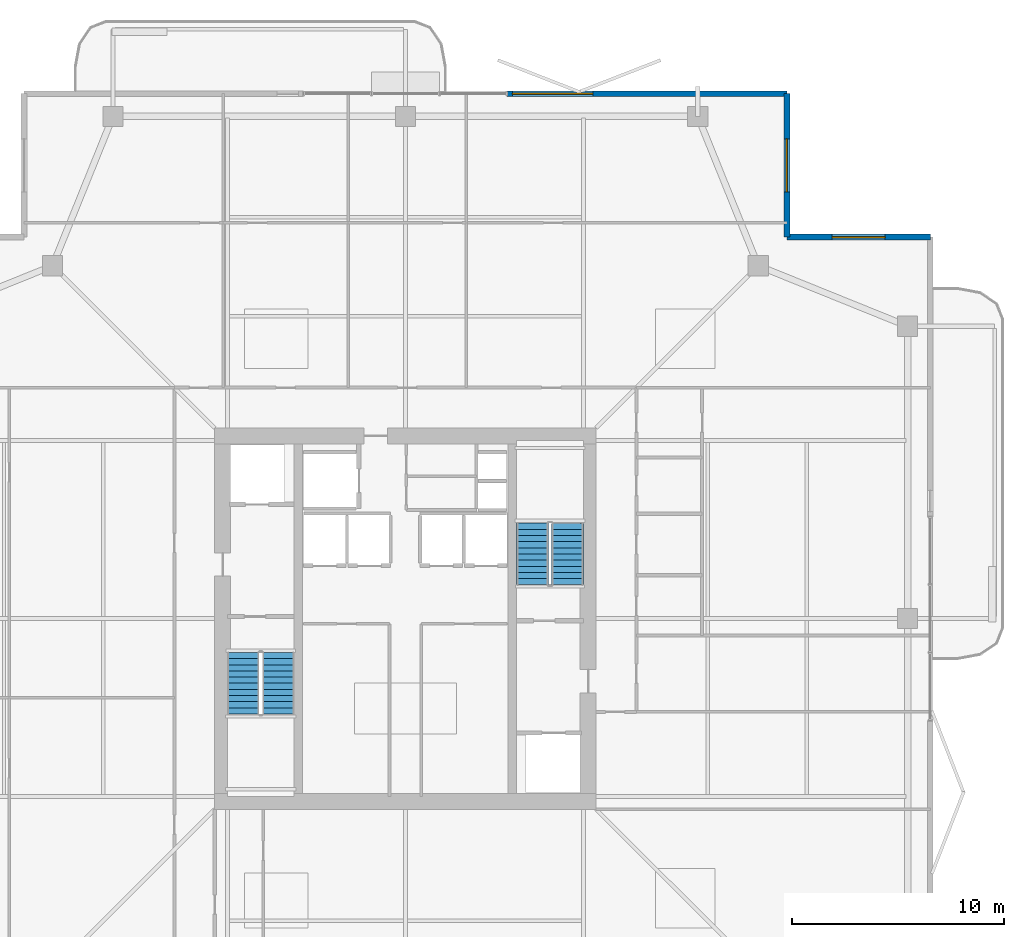
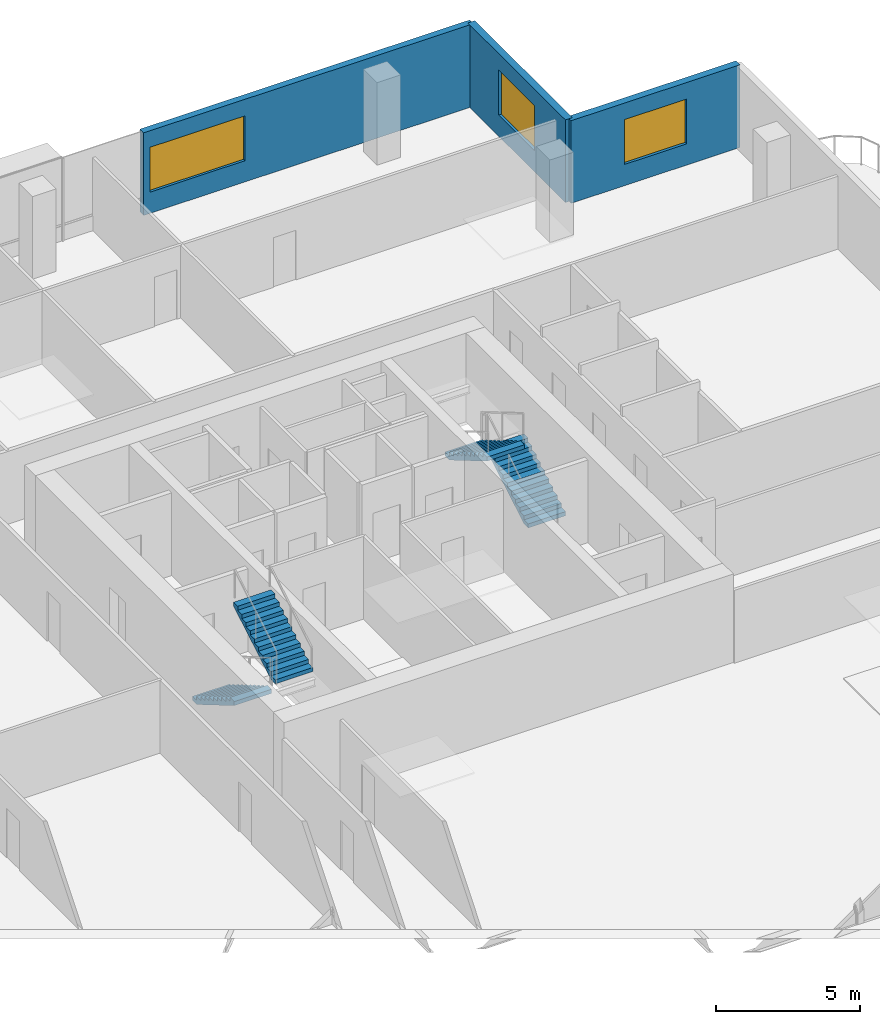
# One storey, part 21 of 25: 4 stair flights, 3 walls, 3 windows, 3 openings, 2 elements without a shape of their own.
"""IFC4 building model written with IfcOpenShell, lengths in metres."""

import ifcopenshell
import ifcopenshell.guid

model = None  # the IFC model being written
_history = None  # IfcOwnerHistory: only IFC2X3 demands one
_inside = {}  # id of a spatial element -> (the spatial element, [elements in it])
_under = {}  # id of a project, library or spatial element -> (it, [spatial elements below it])
_declared = {}  # id of a project -> (the project, [libraries it declares])
_typed = {}  # id of a type object -> (the type object, [elements of that type])
_made_of = {}  # id of a material, layer set ... -> (it, [elements and type objects made of it])


def new_model(schema):
    """Start an empty IFC model of exactly this schema.

    Asked for "IFC4X3", IfcOpenShell would pick the latest addendum, in which some entities
    have other attributes; the version numbers below select the first issue.
    IFC2X3 requires an IfcOwnerHistory on every rooted entity: one is made here for all.
    """
    global model, _history
    if schema == "IFC4X3":
        model = ifcopenshell.file(schema_version=(4, 3, 0, 0))
    else:
        model = ifcopenshell.file(schema=schema)
    _inside.clear()
    _under.clear()
    _declared.clear()
    _typed.clear()
    _made_of.clear()
    _history = None
    if model.schema == "IFC2X3":
        org = make("IfcOrganization", Name="unknown")
        user = make(
            "IfcPersonAndOrganization",
            ThePerson=make("IfcPerson", FamilyName="unknown"),
            TheOrganization=org,
        )
        app = make(
            "IfcApplication",
            ApplicationDeveloper=org,
            Version="unknown",
            ApplicationFullName="unknown",
            ApplicationIdentifier="unknown",
        )
        _history = make(
            "IfcOwnerHistory",
            OwningUser=user,
            OwningApplication=app,
            ChangeAction="ADDED",
            CreationDate=0,
        )
    return model


def make(cls, **values):
    """One entity of the class cls with the attributes given. An attribute that is None is left unset."""
    return model.create_entity(
        cls, **{name: value for name, value in values.items() if value is not None}
    )


def rooted(cls, **values):
    """An entity with a GlobalId (a new one), such as an element, a storey or a relation."""
    return make(cls, GlobalId=ifcopenshell.guid.new(), OwnerHistory=_history, **values)


def si_unit(unit_type, name, prefix=None):
    """IfcSIUnit, for example si_unit("LENGTHUNIT", "METRE", prefix="MILLI")."""
    return make("IfcSIUnit", UnitType=unit_type, Prefix=prefix, Name=name)


def assignment(units):
    """IfcUnitAssignment: the units of a project."""
    return None if units is None else make("IfcUnitAssignment", Units=units)


def point(xyz):
    """IfcCartesianPoint."""
    return None if xyz is None else make("IfcCartesianPoint", Coordinates=xyz)


def direction(xyz):
    """IfcDirection."""
    return None if xyz is None else make("IfcDirection", DirectionRatios=xyz)


def frame(location, z_axis=None, x_axis=None):
    """IfcAxis2Placement3D, a coordinate frame: its origin and axes. An axis left out is left unset."""
    return make(
        "IfcAxis2Placement3D",
        Location=point(location),
        Axis=direction(z_axis),
        RefDirection=direction(x_axis),
    )


def frame_2d(location, x_axis=None):
    """IfcAxis2Placement2D, a coordinate frame in the plane: its origin and x axis."""
    return make(
        "IfcAxis2Placement2D", Location=point(location), RefDirection=direction(x_axis)
    )


def origin():
    """The frame at (0, 0, 0) with its axes left unset."""
    return frame((0.0, 0.0, 0.0))


def place(relative_to, where):
    """IfcLocalPlacement: puts the frame where relative to a parent placement (None: the world)."""
    return make(
        "IfcLocalPlacement", PlacementRelTo=relative_to, RelativePlacement=where
    )


def context(
    kind, dimensions, precision=None, world=None, true_north=None, identifier=None
):
    """IfcGeometricRepresentationContext, for example the 3D "Model" context."""
    return make(
        "IfcGeometricRepresentationContext",
        ContextIdentifier=identifier,
        ContextType=kind,
        CoordinateSpaceDimension=dimensions,
        Precision=precision,
        WorldCoordinateSystem=world,
        TrueNorth=true_north,
    )


def subcontext(parent, identifier, kind, view, scale=None):
    """IfcGeometricRepresentationSubContext, for example "Body" below "Model"."""
    return make(
        "IfcGeometricRepresentationSubContext",
        ContextIdentifier=identifier,
        ContextType=kind,
        ParentContext=parent,
        TargetScale=scale,
        TargetView=view,
    )


def project(units=None, contexts=None):
    """IfcProject with its units and contexts."""
    return rooted(
        "IfcProject",
        Name="project",
        RepresentationContexts=contexts,
        UnitsInContext=assignment(units),
    )


def spatial(cls, under=None, at=None, **own):
    """A site, building, storey or space (cls), placed at a placement, below another one or the project."""
    s = rooted(cls, ObjectPlacement=at, **own)
    if under is not None:
        _under.setdefault(under.id(), (under, []))[1].append(s)
    return s


def polyline(points):
    """IfcPolyline through the points."""
    return make("IfcPolyline", Points=[point(p) for p in points])


def profile(cls, at=None, kind="AREA", **sizes):
    """A parametric profile (cls). Its sizes go by their IFC names, for example OverallWidth=200.0."""
    return make(cls, ProfileType=kind, Position=at, **sizes)


def rectangle(**sizes):
    """IfcRectangleProfileDef."""
    return profile("IfcRectangleProfileDef", **sizes)


def outline(outer, holes=None, kind="AREA"):
    """IfcArbitraryClosedProfileDef: a profile drawn as a closed curve; with holes, ...WithVoids."""
    if holes is None:
        return make("IfcArbitraryClosedProfileDef", ProfileType=kind, OuterCurve=outer)
    return make(
        "IfcArbitraryProfileDefWithVoids",
        ProfileType=kind,
        OuterCurve=outer,
        InnerCurves=holes,
    )


def extrude(swept, where, along, depth):
    """IfcExtrudedAreaSolid: the profile swept, set in the frame where, extruded along a direction by depth."""
    return make(
        "IfcExtrudedAreaSolid",
        SweptArea=swept,
        Position=where,
        ExtrudedDirection=direction(along),
        Depth=depth,
    )


def shape(context_of_items, identifier, shape_type, items):
    """IfcShapeRepresentation: the items that make up one representation, for example the "Body"."""
    return make(
        "IfcShapeRepresentation",
        ContextOfItems=context_of_items,
        RepresentationIdentifier=identifier,
        RepresentationType=shape_type,
        Items=items,
    )


def material(Name=None, Category=None):
    """IfcMaterial."""
    return make("IfcMaterial", Name=Name, Category=Category)


def layer(
    of_material, thickness, ventilated=None, Name=None, Category=None, Priority=None
):
    """IfcMaterialLayer: one layer of a wall or slab, of a material (None: an air gap)."""
    return make(
        "IfcMaterialLayer",
        Material=of_material,
        LayerThickness=thickness,
        IsVentilated=ventilated,
        Name=Name,
        Category=Category,
        Priority=Priority,
    )


def layer_set(layers, Name=None):
    """IfcMaterialLayerSet."""
    return make("IfcMaterialLayerSet", MaterialLayers=layers, LayerSetName=Name)


def made_of(thing, what):
    """Note that an element or type object is made of a material, layer set ...; save() writes the relation."""
    if what is not None:
        _made_of.setdefault(what.id(), (what, []))[1].append(thing)
    return thing


def type_object(cls, material=None, **own):
    """A type object (cls), such as IfcWallType, which elements share."""
    return made_of(rooted(cls, **own), material)


def element(
    cls,
    number,
    at=None,
    inside=None,
    cuts=None,
    type_object=None,
    material=None,
    context=None,
    identifier="Body",
    shape_type=None,
    held_by="IfcProductDefinitionShape",
    body=None,
    shapes=None,
    **own,
):
    """One element of the class cls, such as IfcWall. Its Tag is "e" and its number.

    at: its placement. inside: the storey or other place that contains it. cuts: it is an
    opening in that element (IfcRelVoidsElement). A single representation is given by context,
    identifier, shape_type and body (its items); several are given by shapes. held_by: the class
    of the entity that holds the representations. save() writes the other relations.
    """
    e = rooted(cls, Tag="e%d" % number, ObjectPlacement=at, **own)
    if body is not None:
        shapes = [shape(context, identifier, shape_type, body)]
    if shapes is not None:
        e.Representation = make(held_by, Representations=shapes)
    if inside is not None:
        _inside.setdefault(inside.id(), (inside, []))[1].append(e)
    if cuts is not None:
        rooted(
            "IfcRelVoidsElement", RelatingBuildingElement=cuts, RelatedOpeningElement=e
        )
    if type_object is not None:
        _typed.setdefault(type_object.id(), (type_object, []))[1].append(e)
    return made_of(e, material)


def fill(opening, filler):
    """IfcRelFillsElement: the door or window that sits in an opening."""
    return rooted(
        "IfcRelFillsElement",
        RelatingOpeningElement=opening,
        RelatedBuildingElement=filler,
    )


def aggregate(whole, parts):
    """IfcRelAggregates: a whole, such as a stair, and the parts it consists of."""
    return rooted("IfcRelAggregates", RelatingObject=whole, RelatedObjects=parts)


def save(model, path):
    """Write the relations noted so far, then the file.

    IfcRelAggregates (storeys below a building ...), IfcRelContainedInSpatialStructure (elements
    in a storey), IfcRelDefinesByType, IfcRelAssociatesMaterial and IfcRelDeclares: one each for
    every whole, place, type object, material and project.
    """
    for whole, parts in _under.values():
        aggregate(whole, parts)
    for where, things in _inside.values():
        rooted(
            "IfcRelContainedInSpatialStructure",
            RelatedElements=things,
            RelatingStructure=where,
        )
    for kind, things in _typed.values():
        rooted("IfcRelDefinesByType", RelatedObjects=things, RelatingType=kind)
    for what, things in _made_of.values():
        rooted("IfcRelAssociatesMaterial", RelatedObjects=things, RelatingMaterial=what)
    for by, libraries in _declared.values():
        rooted("IfcRelDeclares", RelatingContext=by, RelatedDefinitions=libraries)
    model.write(path)


model = new_model("IFC4")

# Units and contexts
model_context = context("Model", 3, precision=1e-05, world=origin(), true_north=direction((0.0, 1.0)))
body_context = subcontext(model_context, "Body", "Model", "MODEL_VIEW")
ifc_project = project(units=[si_unit("LENGTHUNIT", "METRE"), si_unit("AREAUNIT", "SQUARE_METRE"), si_unit("VOLUMEUNIT", "CUBIC_METRE"), si_unit("PLANEANGLEUNIT", "RADIAN"), si_unit("MASSUNIT", "GRAM", prefix="KILO")], contexts=[model_context])

# Site, building, storey
site_placement = place(None, origin())
site = spatial("IfcSite", under=ifc_project, at=site_placement, CompositionType="ELEMENT")
building_placement = place(site_placement, origin())
building = spatial("IfcBuilding", under=site, at=building_placement, Name="Belovzor Exchange Tower", CompositionType="ELEMENT")
storey_placement = place(building_placement, frame((0.0, 0.0, 269.10009765625)))
storey = spatial("IfcBuildingStorey", under=building, at=storey_placement, Name="L67", CompositionType="ELEMENT", Elevation=269.10009765625)

# Wall, opening, window
ifc_material_1 = material(Name="Precast concrete C40/50", Category="concrete")
ifc_layer_1 = layer(ifc_material_1, 0.280029296875)
ifc_layer_set_1 = layer_set([ifc_layer_1], Name="Precast concrete C40/50")
wall_type_1 = type_object("IfcWallType", Name="Precast Concrete Notched Corner Frame Wall 280", PredefinedType="SOLIDWALL", material=ifc_layer_set_1)
wall_1_placement = place(storey_placement, frame((46.800048828125, 53.570068359375, 0.0), z_axis=(0.0, 0.0, 1.0), x_axis=(0.0, -1.0, 0.0)))
wall_1 = element("IfcWall", 1, at=wall_1_placement, inside=storey, type_object=wall_type_1, Name="W-CRN280 Precast Concrete Notched Corner Frame Wall 280 L67", PredefinedType="SOLIDWALL", context=body_context, shape_type="SweptSolid", body=[
    extrude(rectangle(XDim=6.77001953125, YDim=0.280029296875, at=frame_2d((3.385009765625, 0.0))), origin(), (0.0, 0.0, 1.0), 3.5),
])
opening_1_placement = place(wall_1_placement, frame((2.135009765625, 0.0, 0.89990234375)))
opening_1 = element("IfcOpeningElement", 2, at=opening_1_placement, cuts=wall_1, Name="Opening WN-CRN250", PredefinedType="OPENING", context=body_context, shape_type="SweptSolid", body=[
    extrude(rectangle(XDim=2.5, YDim=1.89990234375, at=frame_2d((1.25, 0.949951171875))), frame((0.0, 0.14990234375, 0.0), z_axis=(0.0, -1.0, 0.0), x_axis=(1.0, 0.0, 0.0)), (0.0, 0.0, 1.0), 0.300048828125),
])
ifc_material_2 = material(Name="Thermally Broken Aluminium and Triple Glazing", Category="aluminium")
window_type_1 = type_object("IfcWindowType", Name="Streamline Moderne Corner Wrap Ribbon Window 2500x1900", PartitioningType="SINGLE_PANEL", PredefinedType="WINDOW", material=ifc_material_2)
window_1_placement = place(opening_1_placement, origin())
window_1 = element("IfcWindow", 3, at=window_1_placement, inside=storey, type_object=window_type_1, Name="WN-CRN250 Streamline Moderne Corner Wrap Ribbon Window 2500x1900", OverallHeight=1.89990234375, OverallWidth=2.5, PartitioningType="SINGLE_PANEL", PredefinedType="WINDOW", context=body_context, shape_type="SweptSolid", body=[
    extrude(rectangle(XDim=2.5, YDim=1.89990234375, at=frame_2d((1.25, 0.949951171875))), frame((0.0, 0.030029296875, 0.0), z_axis=(0.0, -1.0, 0.0), x_axis=(1.0, 0.0, 0.0)), (0.0, 0.0, 1.0), 0.06005859375),
])
fill(opening_1, window_1)

wall_2_placement = place(storey_placement, frame((46.800048828125, 46.800048828125, 0.0), z_axis=(0.0, 0.0, 1.0), x_axis=(1.0, 0.0, 0.0)))
wall_2 = element("IfcWall", 4, at=wall_2_placement, inside=storey, type_object=wall_type_1, Name="W-CRN280 Precast Concrete Notched Corner Frame Wall 280 L67", PredefinedType="SOLIDWALL", context=body_context, shape_type="SweptSolid", body=[
    extrude(rectangle(XDim=6.77001953125, YDim=0.280029296875, at=frame_2d((3.385009765625, 0.0))), origin(), (0.0, 0.0, 1.0), 3.5),
])
opening_2_placement = place(wall_2_placement, frame((2.135009765625, 0.0, 0.89990234375)))
opening_2 = element("IfcOpeningElement", 5, at=opening_2_placement, cuts=wall_2, Name="Opening WN-CRN250", PredefinedType="OPENING", context=body_context, shape_type="SweptSolid", body=[
    extrude(rectangle(XDim=2.5, YDim=1.89990234375, at=frame_2d((1.25, 0.949951171875))), frame((0.0, 0.14990234375, 0.0), z_axis=(0.0, -1.0, 0.0), x_axis=(1.0, 0.0, 0.0)), (0.0, 0.0, 1.0), 0.300048828125),
])
window_2_placement = place(opening_2_placement, origin())
window_2 = element("IfcWindow", 6, at=window_2_placement, inside=storey, type_object=window_type_1, Name="WN-CRN250 Streamline Moderne Corner Wrap Ribbon Window 2500x1900", OverallHeight=1.89990234375, OverallWidth=2.5, PartitioningType="SINGLE_PANEL", PredefinedType="WINDOW", context=body_context, shape_type="SweptSolid", body=[
    extrude(rectangle(XDim=2.5, YDim=1.89990234375, at=frame_2d((1.25, 0.949951171875))), frame((0.0, 0.030029296875, 0.0), z_axis=(0.0, -1.0, 0.0), x_axis=(1.0, 0.0, 0.0)), (0.0, 0.0, 1.0), 0.06005859375),
])
fill(opening_2, window_2)

ifc_material_3 = material(Name="Precast concrete C40/50", Category="concrete")
ifc_layer_2 = layer(ifc_material_3, 0.260009765625)
ifc_layer_set_2 = layer_set([ifc_layer_2], Name="Precast concrete C40/50")
wall_type_2 = type_object("IfcWallType", Name="Precast Concrete Perimeter Loggia Frame Wall 260", PredefinedType="SOLIDWALL", material=ifc_layer_set_2)
wall_3_placement = place(storey_placement, frame((33.60009765625, 53.570068359375, 0.0), z_axis=(0.0, 0.0, 1.0), x_axis=(1.0, 0.0, 0.0)))
wall_3 = element("IfcWall", 7, at=wall_3_placement, inside=storey, type_object=wall_type_2, Name="W-EXT260 Precast Concrete Perimeter Loggia Frame Wall 260 L67", PredefinedType="SOLIDWALL", context=body_context, shape_type="SweptSolid", body=[
    extrude(rectangle(XDim=13.199951171875, YDim=0.260009765625, at=frame_2d((6.60009765625, 0.0))), origin(), (0.0, 0.0, 1.0), 3.5),
])
opening_3_placement = place(wall_3_placement, frame((0.25, 0.0, 0.89990234375)))
opening_3 = element("IfcOpeningElement", 8, at=opening_3_placement, cuts=wall_3, Name="Opening WN-RIB380", PredefinedType="OPENING", context=body_context, shape_type="SweptSolid", body=[
    extrude(rectangle(XDim=3.800048828125, YDim=1.89990234375, at=frame_2d((1.89990234375, 0.949951171875))), frame((0.0, 0.139892578125, 0.0), z_axis=(0.0, -1.0, 0.0), x_axis=(1.0, 0.0, 0.0)), (0.0, 0.0, 1.0), 0.280029296875),
])
ifc_material_4 = material(Name="Thermally Broken Aluminium and Triple Glazing", Category="aluminium")
window_type_2 = type_object("IfcWindowType", Name="Streamline Moderne Horizontal Ribbon Window 3800x1900", PartitioningType="SINGLE_PANEL", PredefinedType="WINDOW", material=ifc_material_4)
window_3_placement = place(opening_3_placement, origin())
window_3 = element("IfcWindow", 9, at=window_3_placement, inside=storey, type_object=window_type_2, Name="WN-RIB380 Streamline Moderne Horizontal Ribbon Window 3800x1900", OverallHeight=1.89990234375, OverallWidth=3.800048828125, PartitioningType="SINGLE_PANEL", PredefinedType="WINDOW", context=body_context, shape_type="SweptSolid", body=[
    extrude(rectangle(XDim=3.800048828125, YDim=1.89990234375, at=frame_2d((1.89990234375, 0.949951171875))), frame((0.0, 0.030029296875, 0.0), z_axis=(0.0, -1.0, 0.0), x_axis=(1.0, 0.0, 0.0)), (0.0, 0.0, 1.0), 0.06005859375),
])
fill(opening_3, window_3)

# Stair, stair flights
ifc_material_5 = material(Name="Concrete C40/50", Category="concrete")
stair_type = type_object("IfcStairType", Name="Reinforced Concrete Dogleg Escape Stair 1350", PredefinedType="HALF_TURN_STAIR", material=ifc_material_5)
stair_1_placement = place(storey_placement, origin())
stair_1 = element("IfcStair", 10, at=stair_1_placement, inside=storey, type_object=stair_type, Name="L67 ST-1", PredefinedType="HALF_TURN_STAIR")
ifc_material_6 = material(Name="Concrete C40/50", Category="concrete")
stair_flight_type = type_object("IfcStairFlightType", Name="Reinforced Concrete Stair Flight 1350", PredefinedType="STRAIGHT", material=ifc_material_6)
stair_flight_1_placement = place(storey_placement, frame((21.14990234375, 27.199951171875, 0.0), z_axis=(0.0, 0.0, 1.0), x_axis=(0.0, -1.0, 0.0)))
stair_flight_1 = element("IfcStairFlight", 11, at=stair_flight_1_placement, type_object=stair_flight_type, Name="ST-1 flight 1", NumberOfRisers=11, NumberOfTreads=10, PredefinedType="STRAIGHT", RiserHeight=0.170454545, TreadLength=0.29, context=body_context, shape_type="SweptSolid", body=[
    extrude(outline(polyline([(0.0, 0.0), (0.0, 0.17041015625), (0.2900390625, 0.17041015625), (0.2900390625, 0.3408203125), (0.580078125, 0.3408203125), (0.580078125, 0.511474609375), (0.8701171875, 0.511474609375), (0.8701171875, 0.681884765625), (1.159912109375, 0.681884765625), (1.159912109375, 0.852294921875), (1.449951171875, 0.852294921875), (1.449951171875, 1.022705078125), (1.739990234375, 1.022705078125), (1.739990234375, 1.193115234375), (2.030029296875, 1.193115234375), (2.030029296875, 1.363525390625), (2.320068359375, 1.363525390625), (2.320068359375, 1.5341796875), (2.610107421875, 1.5341796875), (2.610107421875, 1.70458984375), (2.89990234375, 1.70458984375), (2.89990234375, 1.875), (2.89990234375, 1.53076171875), (0.2958984375, 0.0), (0.0, 0.0)])), frame((0.0, 0.75, 0.0), z_axis=(0.0, -1.0, 0.0), x_axis=(1.0, 0.0, 0.0)), (0.0, 0.0, 1.0), 1.5),
])
stair_flight_2_placement = place(storey_placement, frame((22.800048828125, 24.300048828125, 1.875), z_axis=(0.0, 0.0, 1.0), x_axis=(0.0, 1.0, 0.0)))
stair_flight_2 = element("IfcStairFlight", 12, at=stair_flight_2_placement, type_object=stair_flight_type, Name="ST-1 flight 2", NumberOfRisers=11, NumberOfTreads=10, PredefinedType="STRAIGHT", RiserHeight=0.170454545, TreadLength=0.29, context=body_context, shape_type="SweptSolid", body=[
    extrude(outline(polyline([(0.0, 0.0), (0.0, 0.17041015625), (0.2900390625, 0.17041015625), (0.2900390625, 0.3408203125), (0.580078125, 0.3408203125), (0.580078125, 0.511474609375), (0.8701171875, 0.511474609375), (0.8701171875, 0.681884765625), (1.159912109375, 0.681884765625), (1.159912109375, 0.852294921875), (1.449951171875, 0.852294921875), (1.449951171875, 1.022705078125), (1.739990234375, 1.022705078125), (1.739990234375, 1.193115234375), (2.030029296875, 1.193115234375), (2.030029296875, 1.363525390625), (2.320068359375, 1.363525390625), (2.320068359375, 1.5341796875), (2.610107421875, 1.5341796875), (2.610107421875, 1.70458984375), (2.89990234375, 1.70458984375), (2.89990234375, 1.875), (2.89990234375, 1.53076171875), (0.2958984375, 0.0), (0.0, 0.0)])), frame((0.0, 0.75, 0.0), z_axis=(0.0, -1.0, 0.0), x_axis=(1.0, 0.0, 0.0)), (0.0, 0.0, 1.0), 1.5),
])
aggregate(stair_1, [stair_flight_1, stair_flight_2])

stair_2_placement = place(storey_placement, origin())
stair_2 = element("IfcStair", 13, at=stair_2_placement, inside=storey, type_object=stair_type, Name="L67 ST-2", PredefinedType="HALF_TURN_STAIR")
stair_flight_3_placement = place(storey_placement, frame((36.449951171875, 30.39990234375, 0.0), z_axis=(0.0, 0.0, 1.0), x_axis=(0.0, 1.0, 0.0)))
stair_flight_3 = element("IfcStairFlight", 14, at=stair_flight_3_placement, type_object=stair_flight_type, Name="ST-2 flight 1", NumberOfRisers=11, NumberOfTreads=10, PredefinedType="STRAIGHT", RiserHeight=0.170454545, TreadLength=0.29, context=body_context, shape_type="SweptSolid", body=[
    extrude(outline(polyline([(0.0, 0.0), (0.0, 0.17041015625), (0.2900390625, 0.17041015625), (0.2900390625, 0.3408203125), (0.580078125, 0.3408203125), (0.580078125, 0.511474609375), (0.8701171875, 0.511474609375), (0.8701171875, 0.681884765625), (1.159912109375, 0.681884765625), (1.159912109375, 0.852294921875), (1.449951171875, 0.852294921875), (1.449951171875, 1.022705078125), (1.739990234375, 1.022705078125), (1.739990234375, 1.193115234375), (2.030029296875, 1.193115234375), (2.030029296875, 1.363525390625), (2.320068359375, 1.363525390625), (2.320068359375, 1.5341796875), (2.610107421875, 1.5341796875), (2.610107421875, 1.70458984375), (2.89990234375, 1.70458984375), (2.89990234375, 1.875), (2.89990234375, 1.53076171875), (0.2958984375, 0.0), (0.0, 0.0)])), frame((0.0, 0.75, 0.0), z_axis=(0.0, -1.0, 0.0), x_axis=(1.0, 0.0, 0.0)), (0.0, 0.0, 1.0), 1.5),
])
stair_flight_4_placement = place(storey_placement, frame((34.800048828125, 33.300048828125, 1.875), z_axis=(0.0, 0.0, 1.0), x_axis=(0.0, -1.0, 0.0)))
stair_flight_4 = element("IfcStairFlight", 15, at=stair_flight_4_placement, type_object=stair_flight_type, Name="ST-2 flight 2", NumberOfRisers=11, NumberOfTreads=10, PredefinedType="STRAIGHT", RiserHeight=0.170454545, TreadLength=0.29, context=body_context, shape_type="SweptSolid", body=[
    extrude(outline(polyline([(0.0, 0.0), (0.0, 0.17041015625), (0.2900390625, 0.17041015625), (0.2900390625, 0.3408203125), (0.580078125, 0.3408203125), (0.580078125, 0.511474609375), (0.8701171875, 0.511474609375), (0.8701171875, 0.681884765625), (1.159912109375, 0.681884765625), (1.159912109375, 0.852294921875), (1.449951171875, 0.852294921875), (1.449951171875, 1.022705078125), (1.739990234375, 1.022705078125), (1.739990234375, 1.193115234375), (2.030029296875, 1.193115234375), (2.030029296875, 1.363525390625), (2.320068359375, 1.363525390625), (2.320068359375, 1.5341796875), (2.610107421875, 1.5341796875), (2.610107421875, 1.70458984375), (2.89990234375, 1.70458984375), (2.89990234375, 1.875), (2.89990234375, 1.53076171875), (0.2958984375, 0.0), (0.0, 0.0)])), frame((0.0, 0.75, 0.0), z_axis=(0.0, -1.0, 0.0), x_axis=(1.0, 0.0, 0.0)), (0.0, 0.0, 1.0), 1.5),
])
aggregate(stair_2, [stair_flight_3, stair_flight_4])

save(model, "model.ifc")
